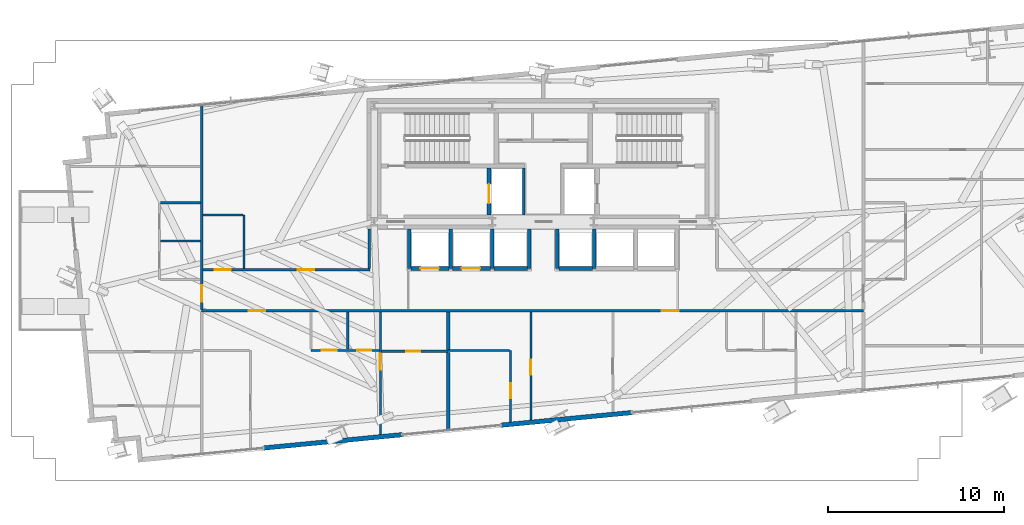
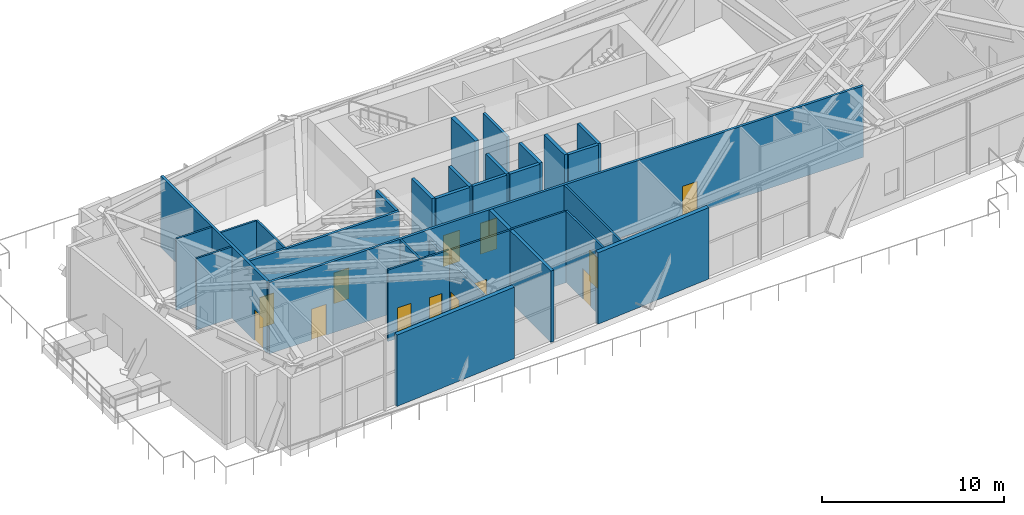
# One storey, part 21 of 28: 31 walls, 14 doors, 14 openings.
"""IFC4 building model written with IfcOpenShell, lengths in metres."""

from ifc_helpers import new_model, si_unit, direction, frame, frame_2d, origin, place, context, subcontext, project, spatial, rectangle, extrude, source, transform, mapped, material, layer, layer_set, type_object, type_shapes, element, fill, save


model = new_model("IFC4")

# Units and contexts
model_context = context("Model", 3, precision=1e-05, world=origin(), true_north=direction((0.0, 1.0)))
body_context = subcontext(model_context, "Body", "Model", "MODEL_VIEW")
ifc_project = project(units=[si_unit("LENGTHUNIT", "METRE"), si_unit("AREAUNIT", "SQUARE_METRE"), si_unit("VOLUMEUNIT", "CUBIC_METRE"), si_unit("PLANEANGLEUNIT", "RADIAN"), si_unit("MASSUNIT", "GRAM", prefix="KILO")], contexts=[model_context])

# Site, building, storey
site_placement = place(None, origin())
site = spatial("IfcSite", under=ifc_project, at=site_placement, CompositionType="ELEMENT")
building_placement = place(site_placement, origin())
building = spatial("IfcBuilding", under=site, at=building_placement, Name="Astriad Promenade Condominiums", CompositionType="ELEMENT")
storey_placement = place(building_placement, frame((0.0, 0.0, 72.60009765625)))
storey = spatial("IfcBuildingStorey", under=building, at=storey_placement, Name="L20", CompositionType="ELEMENT", Elevation=72.60009765625)

# Wall, opening, door
ifc_material_1 = material(Name="Concrete C50/60", Category="concrete")
ifc_layer_1 = layer(ifc_material_1, 0.25)
ifc_layer_set_1 = layer_set([ifc_layer_1], Name="Concrete C50/60")
wall_type_1 = type_object("IfcWallType", Name="WALL-CORE-INT-250", PredefinedType="SOLIDWALL", material=ifc_layer_set_1)
wall_1_placement = place(storey_placement, frame((32.925048828125, 17.802001953125, 0.0), z_axis=(0.0, 0.0, 1.0), x_axis=(0.0, 1.0, 0.0)))
wall_1 = element("IfcWall", 1, at=wall_1_placement, inside=storey, type_object=wall_type_1, Name="CW-FFL1-W-L20", PredefinedType="SOLIDWALL", context=body_context, shape_type="SweptSolid", body=[
    extrude(rectangle(XDim=2.64599609375, YDim=0.25, at=frame_2d((1.322998046875, 0.0))), origin(), (0.0, 0.0, 1.0), 5.199951171875),
])
opening_1_placement = place(wall_1_placement, frame((0.64794921875, 0.0, 0.0)))
opening_1 = element("IfcOpeningElement", 2, at=opening_1_placement, cuts=wall_1, Name="Opening LD-FFL-1122", PredefinedType="OPENING", context=body_context, shape_type="SweptSolid", body=[
    extrude(rectangle(XDim=1.10009765625, YDim=2.080078125, at=frame_2d((0.550048828125, 1.0400390625))), frame((0.0, 0.135009765625, 0.0), z_axis=(0.0, -1.0, 0.0), x_axis=(1.0, 0.0, 0.0)), (0.0, 0.0, 1.0), 0.27001953125),
])
ifc_material_2 = material(Name="Brushed Stainless Steel Fire Elevator Landing Door", Category="steel")
door_type_1 = type_object("IfcDoorType", Name="LD-FFL-1122", OperationType="NOTDEFINED", PredefinedType="DOOR", material=ifc_material_2)
shared_shape_1 = source(origin(), body_context, "Body", "SweptSolid", [
    extrude(rectangle(XDim=1.10009765625, YDim=2.080078125, at=frame_2d((0.550048828125, 1.0400390625))), frame((0.0, 0.02490234375, 0.0), z_axis=(0.0, -1.0, 0.0), x_axis=(1.0, 0.0, 0.0)), (0.0, 0.0, 1.0), 0.050048828125),
])
type_shapes(door_type_1, [shared_shape_1])
door_1_placement = place(opening_1_placement, origin())
door_1 = element("IfcDoor", 3, at=door_1_placement, inside=storey, type_object=door_type_1, Name="Elevator Landing Door FFL-1 (L20)", OperationType="SLIDING_TO_LEFT", OverallHeight=2.080078125, OverallWidth=1.10009765625, PredefinedType="DOOR", context=body_context, shape_type="MappedRepresentation", body=[
    mapped(shared_shape_1, transform((0.0, 0.0, 0.0), scale=1.0)),
])
fill(opening_1, door_1)

# Wall
ifc_material_3 = material(Name="Fire-Rated Gypsum Partition")
ifc_layer_2 = layer(ifc_material_3, 0.159912109375)
ifc_layer_set_2 = layer_set([ifc_layer_2], Name="Fire-Rated Gypsum Partition")
wall_type_2 = type_object("IfcWallType", Name="WALL-CORR-160", PredefinedType="PARTITIONING", material=ifc_layer_set_2)
wall_2_placement = place(storey_placement, frame((34.89990234375, 17.802001953125, 0.0), z_axis=(0.0, 0.0, 1.0), x_axis=(0.0, 1.0, 0.0)))
element("IfcWall", 4, at=wall_2_placement, inside=storey, type_object=wall_type_2, Name="CW-FFL1-E-L20", PredefinedType="PARTITIONING", context=body_context, shape_type="SweptSolid", body=[
    extrude(rectangle(XDim=2.64599609375, YDim=0.159912109375, at=frame_2d((1.322998046875, 0.0))), origin(), (0.0, 0.0, 1.0), 4.77978515625),
])

# Wall, openings, doors
wall_3_placement = place(storey_placement, frame((16.60009765625, 12.35009765625, 0.0), z_axis=(0.0, 0.0, 1.0), x_axis=(1.0, 0.0, 0.0)))
wall_3 = element("IfcWall", 5, at=wall_3_placement, inside=storey, type_object=wall_type_2, Name="PT-COR-S-L20", PredefinedType="PARTITIONING", context=body_context, shape_type="SweptSolid", body=[
    extrude(rectangle(XDim=37.599853515625, YDim=0.159912109375, at=frame_2d((18.7998046875, 0.0))), origin(), (0.0, 0.0, 1.0), 4.77978515625),
])
opening_2_placement = place(wall_3_placement, frame((2.6650390625, 0.0, 0.0)))
opening_2 = element("IfcOpeningElement", 6, at=opening_2_placement, cuts=wall_3, Name="Opening FD60-APT-095", PredefinedType="OPENING", context=body_context, shape_type="SweptSolid", body=[
    extrude(rectangle(XDim=0.949951171875, YDim=2.06005859375, at=frame_2d((0.47509765625, 1.030029296875))), frame((0.0, 0.08984375, 0.0), z_axis=(0.0, -1.0, 0.0), x_axis=(1.0, 0.0, 0.0)), (0.0, 0.0, 1.0), 0.179931640625),
])
opening_3_placement = place(wall_3_placement, frame((26.14599609375, 0.0, 0.0)))
opening_3 = element("IfcOpeningElement", 7, at=opening_3_placement, cuts=wall_3, Name="Opening FD60-APT-095", PredefinedType="OPENING", context=body_context, shape_type="SweptSolid", body=[
    extrude(rectangle(XDim=0.949951171875, YDim=2.06005859375, at=frame_2d((0.47509765625, 1.030029296875))), frame((0.0, 0.08984375, 0.0), z_axis=(0.0, -1.0, 0.0), x_axis=(1.0, 0.0, 0.0)), (0.0, 0.0, 1.0), 0.179931640625),
])
ifc_material_4 = material(Name="Solid-Core Acoustic Timber Residence Entry Door", Category="wood")
door_type_2 = type_object("IfcDoorType", Name="FD60-APT-095", OperationType="NOTDEFINED", PredefinedType="DOOR", material=ifc_material_4)
shared_shape_2 = source(origin(), body_context, "Body", "SweptSolid", [
    extrude(rectangle(XDim=0.949951171875, YDim=2.06005859375, at=frame_2d((0.47509765625, 1.030029296875))), frame((0.0, 0.02490234375, 0.0), z_axis=(0.0, -1.0, 0.0), x_axis=(1.0, 0.0, 0.0)), (0.0, 0.0, 1.0), 0.050048828125),
])
type_shapes(door_type_2, [shared_shape_2])
door_2_placement = place(opening_2_placement, origin())
door_2 = element("IfcDoor", 8, at=door_2_placement, inside=storey, type_object=door_type_2, Name="D-ENT-L20-S1", OperationType="SINGLE_SWING_RIGHT", OverallHeight=2.06005859375, OverallWidth=0.949951171875, PredefinedType="DOOR", context=body_context, shape_type="MappedRepresentation", body=[
    mapped(shared_shape_2, transform((0.0, 0.0, 0.0), scale=1.0)),
])
fill(opening_2, door_2)
door_3_placement = place(opening_3_placement, origin())
door_3 = element("IfcDoor", 9, at=door_3_placement, inside=storey, type_object=door_type_2, Name="D-ENT-L20-S2", OperationType="SINGLE_SWING_LEFT", OverallHeight=2.06005859375, OverallWidth=0.949951171875, PredefinedType="DOOR", context=body_context, shape_type="MappedRepresentation", body=[
    mapped(shared_shape_2, transform((0.0, 0.0, 0.0), scale=1.0)),
])
fill(opening_3, door_3)

# Wall, opening, door
wall_4_placement = place(storey_placement, frame((16.60009765625, 12.431884765625, 0.0), z_axis=(0.0, 0.0, 1.0), x_axis=(0.0, 1.0, 0.0)))
wall_4 = element("IfcWall", 10, at=wall_4_placement, inside=storey, type_object=wall_type_2, Name="PT-COR-W-L20-S2", PredefinedType="PARTITIONING", context=body_context, shape_type="SweptSolid", body=[
    extrude(rectangle(XDim=11.657958984375, YDim=0.159912109375, at=frame_2d((5.8291015625, 0.0))), origin(), (0.0, 0.0, 1.0), 4.77978515625),
])
opening_4_placement = place(wall_4_placement, frame((0.428955078125, 0.0, 0.0)))
opening_4 = element("IfcOpeningElement", 11, at=opening_4_placement, cuts=wall_4, Name="Opening FD60-APT-095", PredefinedType="OPENING", context=body_context, shape_type="SweptSolid", body=[
    extrude(rectangle(XDim=0.949951171875, YDim=2.06005859375, at=frame_2d((0.47509765625, 1.030029296875))), frame((0.0, 0.08984375, 0.0), z_axis=(0.0, -1.0, 0.0), x_axis=(1.0, 0.0, 0.0)), (0.0, 0.0, 1.0), 0.179931640625),
])
door_4_placement = place(opening_4_placement, origin())
door_4 = element("IfcDoor", 12, at=door_4_placement, inside=storey, type_object=door_type_2, Name="D-ENT-L20-W1", OperationType="SINGLE_SWING_LEFT", OverallHeight=2.06005859375, OverallWidth=0.949951171875, PredefinedType="DOOR", context=body_context, shape_type="MappedRepresentation", body=[
    mapped(shared_shape_2, transform((0.0, 0.0, 0.0), scale=1.0)),
])
fill(opening_4, door_4)

# Wall, openings, doors
wall_5_placement = place(storey_placement, frame((16.681884765625, 14.679931640625, 0.0), z_axis=(0.0, 0.0, 1.0), x_axis=(1.0, 0.0, 0.0)))
wall_5 = element("IfcWall", 13, at=wall_5_placement, inside=storey, type_object=wall_type_2, Name="PT-FLK-NW-L20", PredefinedType="PARTITIONING", context=body_context, shape_type="SweptSolid", body=[
    extrude(rectangle(XDim=9.47802734375, YDim=0.159912109375, at=frame_2d((4.739013671875, 0.0))), origin(), (0.0, 0.0, 1.0), 4.77978515625),
])
opening_5_placement = place(wall_5_placement, frame((0.66796875, 0.0, 0.0)))
opening_5 = element("IfcOpeningElement", 14, at=opening_5_placement, cuts=wall_5, Name="Opening D-INT-090", PredefinedType="OPENING", context=body_context, shape_type="SweptSolid", body=[
    extrude(rectangle(XDim=0.89990234375, YDim=2.050048828125, at=frame_2d((0.449951171875, 1.02490234375))), frame((0.0, 0.08984375, 0.0), z_axis=(0.0, -1.0, 0.0), x_axis=(1.0, 0.0, 0.0)), (0.0, 0.0, 1.0), 0.179931640625),
])
opening_6_placement = place(wall_5_placement, frame((5.363037109375, 0.0, 0.0)))
opening_6 = element("IfcOpeningElement", 15, at=opening_6_placement, cuts=wall_5, Name="Opening FD60-APT-095", PredefinedType="OPENING", context=body_context, shape_type="SweptSolid", body=[
    extrude(rectangle(XDim=0.949951171875, YDim=2.06005859375, at=frame_2d((0.47509765625, 1.030029296875))), frame((0.0, 0.08984375, 0.0), z_axis=(0.0, -1.0, 0.0), x_axis=(1.0, 0.0, 0.0)), (0.0, 0.0, 1.0), 0.179931640625),
])
door_5_placement = place(opening_6_placement, origin())
door_5 = element("IfcDoor", 16, at=door_5_placement, inside=storey, type_object=door_type_2, Name="D-NWA-L20", OperationType="SINGLE_SWING_RIGHT", OverallHeight=2.06005859375, OverallWidth=0.949951171875, PredefinedType="DOOR", context=body_context, shape_type="MappedRepresentation", body=[
    mapped(shared_shape_2, transform((0.0, 0.0, 0.0), scale=1.0)),
])
fill(opening_6, door_5)
ifc_material_5 = material(Name="Painted Solid-Core Timber Bedroom Door", Category="wood")
door_type_3 = type_object("IfcDoorType", Name="D-INT-090", OperationType="NOTDEFINED", PredefinedType="DOOR", material=ifc_material_5)
shared_shape_3 = source(origin(), body_context, "Body", "SweptSolid", [
    extrude(rectangle(XDim=0.89990234375, YDim=2.050048828125, at=frame_2d((0.449951171875, 1.02490234375))), frame((0.0, 0.02490234375, 0.0), z_axis=(0.0, -1.0, 0.0), x_axis=(1.0, 0.0, 0.0)), (0.0, 0.0, 1.0), 0.050048828125),
])
type_shapes(door_type_3, [shared_shape_3])
door_6_placement = place(opening_5_placement, origin())
door_6 = element("IfcDoor", 17, at=door_6_placement, inside=storey, type_object=door_type_3, Name="D-AWC-L20", OperationType="SINGLE_SWING_LEFT", OverallHeight=2.050048828125, OverallWidth=0.89990234375, PredefinedType="DOOR", context=body_context, shape_type="MappedRepresentation", body=[
    mapped(shared_shape_3, transform((0.0, 0.0, 0.0), scale=1.0)),
])
fill(opening_5, door_6)

# Walls
wall_6_placement = place(storey_placement, frame((26.1201171875, 14.761962890625, 0.0), z_axis=(0.0, 0.0, 1.0), x_axis=(0.0, 1.0, 0.0)))
element("IfcWall", 18, at=wall_6_placement, inside=storey, type_object=wall_type_2, Name="PT-WSPUR-W-L20", PredefinedType="PARTITIONING", context=body_context, shape_type="SweptSolid", body=[
    extrude(rectangle(XDim=2.236083984375, YDim=0.159912109375, at=frame_2d((1.1181640625, 0.0))), origin(), (0.0, 0.0, 1.0), 4.77978515625),
])
ifc_material_6 = material(Name="Acoustic Double-Stud Gypsum Partition")
ifc_layer_3 = layer(ifc_material_6, 0.199951171875)
ifc_layer_set_3 = layer_set([ifc_layer_3], Name="Acoustic Double-Stud Gypsum Partition")
wall_type_3 = type_object("IfcWallType", Name="WALL-DEMISING-200", PredefinedType="PARTITIONING", material=ifc_layer_set_3)
wall_7_placement = place(storey_placement, frame((30.60107421875, 5.506103515625, 0.0), z_axis=(0.0, 0.0, 1.0), x_axis=(0.0, 1.0, 0.0)))
element("IfcWall", 19, at=wall_7_placement, inside=storey, type_object=wall_type_3, Name="PT-DEM-S1-L20", PredefinedType="PARTITIONING", context=body_context, shape_type="SweptSolid", body=[
    extrude(rectangle(XDim=4.48193359375, YDim=0.199951171875, at=frame_2d((2.240966796875, 0.0))), origin(), (0.0, 0.0, 1.0), 4.77978515625),
])
wall_8_placement = place(storey_placement, frame((30.60107421875, 10.112060546875, 0.0), z_axis=(0.0, 0.0, 1.0), x_axis=(0.0, 1.0, 0.0)))
element("IfcWall", 20, at=wall_8_placement, inside=storey, type_object=wall_type_3, Name="PT-DEM-S1-L20-S2", PredefinedType="PARTITIONING", context=body_context, shape_type="SweptSolid", body=[
    extrude(rectangle(XDim=2.156005859375, YDim=0.199951171875, at=frame_2d((1.078125, 0.0))), origin(), (0.0, 0.0, 1.0), 4.77978515625),
])
ifc_material_7 = material(Name="Precast concrete C50/60", Category="concrete")
ifc_layer_4 = layer(ifc_material_7, 0.260009765625)
ifc_layer_set_4 = layer_set([ifc_layer_4], Name="Precast concrete C50/60")
wall_type_4 = type_object("IfcWallType", Name="WALL-EXT-TWR-260", PredefinedType="STANDARD", material=ifc_layer_set_4)
wall_9_placement = place(storey_placement, frame((41.041748046875, 6.561767578125, 0.0), z_axis=(0.0, 0.0, 1.0), x_axis=(-0.995394886335, -0.095859377516, 0.0)))
element("IfcWall", 21, at=wall_9_placement, inside=storey, type_object=wall_type_4, Name="W-SGCOL-L20-S-3", PredefinedType="STANDARD", context=body_context, shape_type="SweptSolid", body=[
    extrude(rectangle(XDim=7.469970703125, YDim=0.260009765625, at=frame_2d((3.73486328125, 0.0))), origin(), (0.0, 0.0, 1.0), 4.77978515625),
])
wall_10_placement = place(storey_placement, frame((28.002197265625, 5.30615234375, 0.0), z_axis=(0.0, 0.0, 1.0), x_axis=(-0.9953942011, -0.09586649267, 0.0)))
element("IfcWall", 22, at=wall_10_placement, inside=storey, type_object=wall_type_4, Name="W-SGCOL-L20-S-4", PredefinedType="STANDARD", context=body_context, shape_type="SweptSolid", body=[
    extrude(rectangle(XDim=7.909912109375, YDim=0.260009765625, at=frame_2d((3.955078125, 0.0))), origin(), (0.0, 0.0, 1.0), 4.77978515625),
])

# Wall, opening, door
ifc_material_8 = material(Name="Acoustic Metal-Stud Gypsum Partition")
ifc_layer_5 = layer(ifc_material_8, 0.1201171875)
ifc_layer_set_5 = layer_set([ifc_layer_5], Name="Acoustic Metal-Stud Gypsum Partition")
wall_type_5 = type_object("IfcWallType", Name="WALL-PART-120", PredefinedType="PARTITIONING", material=ifc_layer_set_5)
wall_11_placement = place(storey_placement, frame((26.7509765625, 5.318115234375, 0.0), z_axis=(0.0, 0.0, 1.0), x_axis=(0.0, 1.0, 0.0)))
wall_11 = element("IfcWall", 23, at=wall_11_placement, inside=storey, type_object=wall_type_5, Name="PT-L20-S1-BD1", PredefinedType="PARTITIONING", context=body_context, shape_type="SweptSolid", body=[
    extrude(rectangle(XDim=6.949951171875, YDim=0.1201171875, at=frame_2d((3.47509765625, 0.0))), origin(), (0.0, 0.0, 1.0), 4.055419921875),
])
opening_7_placement = place(wall_11_placement, frame((3.681884765625, 0.0, 0.0)))
opening_7 = element("IfcOpeningElement", 24, at=opening_7_placement, cuts=wall_11, Name="Opening D-INT-090", PredefinedType="OPENING", context=body_context, shape_type="SweptSolid", body=[
    extrude(rectangle(XDim=0.89990234375, YDim=2.050048828125, at=frame_2d((0.449951171875, 1.02490234375))), frame((0.0, 0.070068359375, 0.0), z_axis=(0.0, -1.0, 0.0), x_axis=(1.0, 0.0, 0.0)), (0.0, 0.0, 1.0), 0.14013671875),
])
door_7_placement = place(opening_7_placement, origin())
door_7 = element("IfcDoor", 25, at=door_7_placement, inside=storey, type_object=door_type_3, Name="D-BD1-L20-S1", OperationType="SINGLE_SWING_LEFT", OverallHeight=2.050048828125, OverallWidth=0.89990234375, PredefinedType="DOOR", context=body_context, shape_type="MappedRepresentation", body=[
    mapped(shared_shape_3, transform((0.0, 0.0, 0.0), scale=1.0)),
])
fill(opening_7, door_7)

# Wall, openings, doors
wall_12_placement = place(storey_placement, frame((22.801025390625, 10.10009765625, 0.0), z_axis=(0.0, 0.0, 1.0), x_axis=(1.0, 0.0, 0.0)))
wall_12 = element("IfcWall", 26, at=wall_12_placement, inside=storey, type_object=wall_type_5, Name="PT-L20-S1-PS", PredefinedType="PARTITIONING", context=body_context, shape_type="SweptSolid", body=[
    extrude(rectangle(XDim=3.887939453125, YDim=0.1201171875, at=frame_2d((1.94384765625, 0.0))), origin(), (0.0, 0.0, 1.0), 4.77978515625),
])
opening_8_placement = place(wall_12_placement, frame((0.625, 0.0, 0.0)))
opening_8 = element("IfcOpeningElement", 27, at=opening_8_placement, cuts=wall_12, Name="Opening D-INT-085", PredefinedType="OPENING", context=body_context, shape_type="SweptSolid", body=[
    extrude(rectangle(XDim=0.85009765625, YDim=2.050048828125, at=frame_2d((0.425048828125, 1.02490234375))), frame((0.0, 0.070068359375, 0.0), z_axis=(0.0, -1.0, 0.0), x_axis=(1.0, 0.0, 0.0)), (0.0, 0.0, 1.0), 0.14013671875),
])
opening_9_placement = place(wall_12_placement, frame((2.625, 0.0, 0.0)))
opening_9 = element("IfcOpeningElement", 28, at=opening_9_placement, cuts=wall_12, Name="Opening D-WET-080", PredefinedType="OPENING", context=body_context, shape_type="SweptSolid", body=[
    extrude(rectangle(XDim=0.800048828125, YDim=2.02001953125, at=frame_2d((0.39990234375, 1.010009765625))), frame((0.0, 0.070068359375, 0.0), z_axis=(0.0, -1.0, 0.0), x_axis=(1.0, 0.0, 0.0)), (0.0, 0.0, 1.0), 0.14013671875),
])
ifc_material_9 = material(Name="Moisture-Resistant Timber Bathroom Door", Category="wood")
door_type_4 = type_object("IfcDoorType", Name="D-WET-080", OperationType="NOTDEFINED", PredefinedType="DOOR", material=ifc_material_9)
shared_shape_4 = source(origin(), body_context, "Body", "SweptSolid", [
    extrude(rectangle(XDim=0.800048828125, YDim=2.02001953125, at=frame_2d((0.39990234375, 1.010009765625))), frame((0.0, 0.02490234375, 0.0), z_axis=(0.0, -1.0, 0.0), x_axis=(1.0, 0.0, 0.0)), (0.0, 0.0, 1.0), 0.050048828125),
])
type_shapes(door_type_4, [shared_shape_4])
door_8_placement = place(opening_9_placement, origin())
door_8 = element("IfcDoor", 29, at=door_8_placement, inside=storey, type_object=door_type_4, Name="D-BTH-L20-S1", OperationType="SINGLE_SWING_LEFT", OverallHeight=2.02001953125, OverallWidth=0.800048828125, PredefinedType="DOOR", context=body_context, shape_type="MappedRepresentation", body=[
    mapped(shared_shape_4, transform((0.0, 0.0, 0.0), scale=1.0)),
])
fill(opening_9, door_8)
ifc_material_10 = material(Name="Painted Solid-Core Timber Room Door", Category="wood")
door_type_5 = type_object("IfcDoorType", Name="D-INT-085", OperationType="NOTDEFINED", PredefinedType="DOOR", material=ifc_material_10)
shared_shape_5 = source(origin(), body_context, "Body", "SweptSolid", [
    extrude(rectangle(XDim=0.85009765625, YDim=2.050048828125, at=frame_2d((0.425048828125, 1.02490234375))), frame((0.0, 0.02490234375, 0.0), z_axis=(0.0, -1.0, 0.0), x_axis=(1.0, 0.0, 0.0)), (0.0, 0.0, 1.0), 0.050048828125),
])
type_shapes(door_type_5, [shared_shape_5])
door_9_placement = place(opening_8_placement, origin())
door_9 = element("IfcDoor", 30, at=door_9_placement, inside=storey, type_object=door_type_5, Name="D-KIT-L20-S1", OperationType="SINGLE_SWING_RIGHT", OverallHeight=2.050048828125, OverallWidth=0.85009765625, PredefinedType="DOOR", context=body_context, shape_type="MappedRepresentation", body=[
    mapped(shared_shape_5, transform((0.0, 0.0, 0.0), scale=1.0)),
])
fill(opening_8, door_9)

# Wall
wall_13_placement = place(storey_placement, frame((24.90087890625, 10.162109375, 0.0), z_axis=(0.0, 0.0, 1.0), x_axis=(0.0, 1.0, 0.0)))
element("IfcWall", 31, at=wall_13_placement, inside=storey, type_object=wall_type_5, Name="PT-L20-S1-PBK", PredefinedType="PARTITIONING", context=body_context, shape_type="SweptSolid", body=[
    extrude(rectangle(XDim=2.10595703125, YDim=0.1201171875, at=frame_2d((1.052978515625, 0.0))), origin(), (0.0, 0.0, 1.0), 4.77978515625),
])

# Wall, opening, door
wall_14_placement = place(storey_placement, frame((26.81298828125, 10.050048828125, 0.0), z_axis=(0.0, 0.0, 1.0), x_axis=(1.0, 0.0, 0.0)))
wall_14 = element("IfcWall", 32, at=wall_14_placement, inside=storey, type_object=wall_type_5, Name="PT-L20-S1-ENS", PredefinedType="PARTITIONING", context=body_context, shape_type="SweptSolid", body=[
    extrude(rectangle(XDim=3.7880859375, YDim=0.1201171875, at=frame_2d((1.89404296875, 0.0))), origin(), (0.0, 0.0, 1.0), 4.77978515625),
])
opening_10_placement = place(wall_14_placement, frame((1.4130859375, 0.0, 0.0)))
opening_10 = element("IfcOpeningElement", 33, at=opening_10_placement, cuts=wall_14, Name="Opening D-WET-080", PredefinedType="OPENING", context=body_context, shape_type="SweptSolid", body=[
    extrude(rectangle(XDim=0.800048828125, YDim=2.02001953125, at=frame_2d((0.39990234375, 1.010009765625))), frame((0.0, 0.070068359375, 0.0), z_axis=(0.0, -1.0, 0.0), x_axis=(1.0, 0.0, 0.0)), (0.0, 0.0, 1.0), 0.14013671875),
])
door_10_placement = place(opening_10_placement, origin())
door_10 = element("IfcDoor", 34, at=door_10_placement, inside=storey, type_object=door_type_4, Name="D-ENS-L20-S1", OperationType="SINGLE_SWING_RIGHT", OverallHeight=2.02001953125, OverallWidth=0.800048828125, PredefinedType="DOOR", context=body_context, shape_type="MappedRepresentation", body=[
    mapped(shared_shape_4, transform((0.0, 0.0, 0.0), scale=1.0)),
])
fill(opening_10, door_10)

wall_15_placement = place(storey_placement, frame((34.15087890625, 6.03076171875, 0.0), z_axis=(0.0, 0.0, 1.0), x_axis=(0.0, 1.0, 0.0)))
wall_15 = element("IfcWall", 35, at=wall_15_placement, inside=storey, type_object=wall_type_5, Name="PT-L20-S2-EXV", PredefinedType="PARTITIONING", context=body_context, shape_type="SweptSolid", body=[
    extrude(rectangle(XDim=4.0693359375, YDim=0.1201171875, at=frame_2d((2.03466796875, 0.0))), origin(), (0.0, 0.0, 1.0), 4.77978515625),
])
opening_11_placement = place(wall_15_placement, frame((1.34228515625, 0.0, 0.0)))
opening_11 = element("IfcOpeningElement", 36, at=opening_11_placement, cuts=wall_15, Name="Opening D-INT-085", PredefinedType="OPENING", context=body_context, shape_type="SweptSolid", body=[
    extrude(rectangle(XDim=0.85009765625, YDim=2.050048828125, at=frame_2d((0.425048828125, 1.02490234375))), frame((0.0, 0.070068359375, 0.0), z_axis=(0.0, -1.0, 0.0), x_axis=(1.0, 0.0, 0.0)), (0.0, 0.0, 1.0), 0.14013671875),
])
door_11_placement = place(opening_11_placement, origin())
door_11 = element("IfcDoor", 37, at=door_11_placement, inside=storey, type_object=door_type_5, Name="D-EX-L20-S2", OperationType="SINGLE_SWING_RIGHT", OverallHeight=2.050048828125, OverallWidth=0.85009765625, PredefinedType="DOOR", context=body_context, shape_type="MappedRepresentation", body=[
    mapped(shared_shape_5, transform((0.0, 0.0, 0.0), scale=1.0)),
])
fill(opening_11, door_11)

# Wall
wall_16_placement = place(storey_placement, frame((30.60107421875, 10.10009765625, 0.0), z_axis=(0.0, 0.0, 1.0), x_axis=(1.0, 0.0, 0.0)))
element("IfcWall", 38, at=wall_16_placement, inside=storey, type_object=wall_type_5, Name="PT-L20-S2-EXH", PredefinedType="PARTITIONING", context=body_context, shape_type="SweptSolid", body=[
    extrude(rectangle(XDim=3.488037109375, YDim=0.1201171875, at=frame_2d((1.744140625, 0.0))), origin(), (0.0, 0.0, 1.0), 4.77978515625),
])

# Wall, opening, door
wall_17_placement = place(storey_placement, frame((35.301025390625, 6.1416015625, 0.0), z_axis=(0.0, 0.0, 1.0), x_axis=(0.0, 1.0, 0.0)))
wall_17 = element("IfcWall", 39, at=wall_17_placement, inside=storey, type_object=wall_type_5, Name="PT-L20-S2-CAP1", PredefinedType="PARTITIONING", context=body_context, shape_type="SweptSolid", body=[
    extrude(rectangle(XDim=6.12646484375, YDim=0.1201171875, at=frame_2d((3.063232421875, 0.0))), origin(), (0.0, 0.0, 1.0), 4.77978515625),
])
opening_12_placement = place(wall_17_placement, frame((2.575439453125, 0.0, 0.0)))
opening_12 = element("IfcOpeningElement", 40, at=opening_12_placement, cuts=wall_17, Name="Opening D-INT-085", PredefinedType="OPENING", context=body_context, shape_type="SweptSolid", body=[
    extrude(rectangle(XDim=0.85009765625, YDim=2.050048828125, at=frame_2d((0.425048828125, 1.02490234375))), frame((0.0, 0.070068359375, 0.0), z_axis=(0.0, -1.0, 0.0), x_axis=(1.0, 0.0, 0.0)), (0.0, 0.0, 1.0), 0.14013671875),
])
door_12_placement = place(opening_12_placement, origin())
door_12 = element("IfcDoor", 41, at=door_12_placement, inside=storey, type_object=door_type_5, Name="D-CAP1-L20-S2", OperationType="SINGLE_SWING_LEFT", OverallHeight=2.050048828125, OverallWidth=0.85009765625, PredefinedType="DOOR", context=body_context, shape_type="MappedRepresentation", body=[
    mapped(shared_shape_5, transform((0.0, 0.0, 0.0), scale=1.0)),
])
fill(opening_12, door_12)

# Walls
for number, where, z_axis, x_axis, name in (
    (42, (14.261962890625, 16.31103515625, 0.0), (0.0, 0.0, 1.0), (1.0, 0.0, 0.0), "PT-L20-W1-PM"),
    (43, (14.261962890625, 18.486083984375, 0.0), (0.0, 0.0, 1.0), (1.0, 0.0, 0.0), "PT-L20-W1-PN"),
):
    element("IfcWall", number, at=place(storey_placement, frame(where, z_axis=z_axis, x_axis=x_axis)), inside=storey, type_object=wall_type_5, Name=name, PredefinedType="PARTITIONING", context=body_context, shape_type="SweptSolid", body=[
        extrude(rectangle(XDim=2.256103515625, YDim=0.1201171875, at=frame_2d((1.1279296875, 0.0))), origin(), (0.0, 0.0, 1.0), 4.77978515625),
    ])
wall_18_placement = place(storey_placement, frame((19.0, 14.761962890625, 0.0), z_axis=(0.0, 0.0, 1.0), x_axis=(0.0, 1.0, 0.0)))
element("IfcWall", 44, at=wall_18_placement, inside=storey, type_object=wall_type_5, Name="PT-AWC-E-L20", PredefinedType="PARTITIONING", context=body_context, shape_type="SweptSolid", body=[
    extrude(rectangle(XDim=3.0380859375, YDim=0.1201171875, at=frame_2d((1.51904296875, 0.0))), origin(), (0.0, 0.0, 1.0), 4.77978515625),
])
wall_19_placement = place(storey_placement, frame((16.681884765625, 17.800048828125, 0.0), z_axis=(0.0, 0.0, 1.0), x_axis=(1.0, 0.0, 0.0)))
element("IfcWall", 45, at=wall_19_placement, inside=storey, type_object=wall_type_5, Name="PT-AWC-N-L20", PredefinedType="PARTITIONING", context=body_context, shape_type="SweptSolid", body=[
    extrude(rectangle(XDim=2.256103515625, YDim=0.1201171875, at=frame_2d((1.1279296875, 0.0))), origin(), (0.0, 0.0, 1.0), 4.77978515625),
])
ifc_material_11 = material(Name="Gypsum Shaftliner Assembly")
ifc_layer_6 = layer(ifc_material_11, 0.199951171875)
ifc_layer_set_6 = layer_set([ifc_layer_6], Name="Gypsum Shaftliner Assembly")
wall_type_6 = type_object("IfcWallType", Name="WALL-SHAFT-200", PredefinedType="PARTITIONING", material=ifc_layer_set_6)
for number, where, z_axis, x_axis, name in (
    (46, (28.39990234375, 14.75, 0.0), (0.0, 0.0, 1.0), (0.0, 1.0, 0.0), "PL-W-OUT-L20"),
    (47, (30.75, 14.75, 0.0), (0.0, 0.0, 1.0), (0.0, 1.0, 0.0), "PL-L-DIV-L20"),
    (48, (33.10009765625, 14.75, 0.0), (0.0, 0.0, 1.0), (0.0, 1.0, 0.0), "PL-LM-DIV-L20"),
):
    element("IfcWall", number, at=place(storey_placement, frame(where, z_axis=z_axis, x_axis=x_axis)), inside=storey, type_object=wall_type_6, Name=name, PredefinedType="PARTITIONING", context=body_context, shape_type="SweptSolid", body=[
        extrude(rectangle(XDim=2.248046875, YDim=0.199951171875, at=frame_2d((1.1240234375, 0.0))), origin(), (0.0, 0.0, 1.0), 4.77978515625),
    ])

# Wall, opening, door
wall_20_placement = place(storey_placement, frame((28.501953125, 14.75, 0.0), z_axis=(0.0, 0.0, 1.0), x_axis=(1.0, 0.0, 0.0)))
wall_20 = element("IfcWall", 49, at=wall_20_placement, inside=storey, type_object=wall_type_6, Name="PL-L-FRT-L20", PredefinedType="PARTITIONING", context=body_context, shape_type="SweptSolid", body=[
    extrude(rectangle(XDim=2.14599609375, YDim=0.199951171875, at=frame_2d((1.072998046875, 0.0))), origin(), (0.0, 0.0, 1.0), 4.77978515625),
])
opening_13_placement = place(wall_20_placement, frame((0.52294921875, 0.0, 0.0)))
opening_13 = element("IfcOpeningElement", 50, at=opening_13_placement, cuts=wall_20, Name="Opening LD-PL-10522", PredefinedType="OPENING", context=body_context, shape_type="SweptSolid", body=[
    extrude(rectangle(XDim=1.050048828125, YDim=2.080078125, at=frame_2d((0.52490234375, 1.0400390625))), frame((0.0, 0.10986328125, 0.0), z_axis=(0.0, -1.0, 0.0), x_axis=(1.0, 0.0, 0.0)), (0.0, 0.0, 1.0), 0.219970703125),
])
ifc_material_12 = material(Name="Brushed Bronze Passenger Elevator Landing Door")
door_type_6 = type_object("IfcDoorType", Name="LD-PL-10522", OperationType="NOTDEFINED", PredefinedType="DOOR", material=ifc_material_12)
shared_shape_6 = source(origin(), body_context, "Body", "SweptSolid", [
    extrude(rectangle(XDim=1.050048828125, YDim=2.080078125, at=frame_2d((0.52490234375, 1.0400390625))), frame((0.0, 0.02490234375, 0.0), z_axis=(0.0, -1.0, 0.0), x_axis=(1.0, 0.0, 0.0)), (0.0, 0.0, 1.0), 0.050048828125),
])
type_shapes(door_type_6, [shared_shape_6])
door_13_placement = place(opening_13_placement, origin())
door_13 = element("IfcDoor", 51, at=door_13_placement, inside=storey, type_object=door_type_6, Name="Elevator Landing Door PL-L1 (L20)", OperationType="SLIDING_TO_LEFT", OverallHeight=2.080078125, OverallWidth=1.050048828125, PredefinedType="DOOR", context=body_context, shape_type="MappedRepresentation", body=[
    mapped(shared_shape_6, transform((0.0, 0.0, 0.0), scale=1.0)),
])
fill(opening_13, door_13)

wall_21_placement = place(storey_placement, frame((30.85205078125, 14.75, 0.0), z_axis=(0.0, 0.0, 1.0), x_axis=(1.0, 0.0, 0.0)))
wall_21 = element("IfcWall", 52, at=wall_21_placement, inside=storey, type_object=wall_type_6, Name="PL-L-FRT-L20-S2", PredefinedType="PARTITIONING", context=body_context, shape_type="SweptSolid", body=[
    extrude(rectangle(XDim=2.14599609375, YDim=0.199951171875, at=frame_2d((1.072998046875, 0.0))), origin(), (0.0, 0.0, 1.0), 4.77978515625),
])
opening_14_placement = place(wall_21_placement, frame((0.52294921875, 0.0, 0.0)))
opening_14 = element("IfcOpeningElement", 53, at=opening_14_placement, cuts=wall_21, Name="Opening LD-PL-10522", PredefinedType="OPENING", context=body_context, shape_type="SweptSolid", body=[
    extrude(rectangle(XDim=1.050048828125, YDim=2.080078125, at=frame_2d((0.52490234375, 1.0400390625))), frame((0.0, 0.10986328125, 0.0), z_axis=(0.0, -1.0, 0.0), x_axis=(1.0, 0.0, 0.0)), (0.0, 0.0, 1.0), 0.219970703125),
])
door_14_placement = place(opening_14_placement, origin())
door_14 = element("IfcDoor", 54, at=door_14_placement, inside=storey, type_object=door_type_6, Name="Elevator Landing Door PL-L2 (L20)", OperationType="SLIDING_TO_RIGHT", OverallHeight=2.080078125, OverallWidth=1.050048828125, PredefinedType="DOOR", context=body_context, shape_type="MappedRepresentation", body=[
    mapped(shared_shape_6, transform((0.0, 0.0, 0.0), scale=1.0)),
])
fill(opening_14, door_14)

# Walls
wall_22_placement = place(storey_placement, frame((35.199951171875, 14.75, 0.0), z_axis=(0.0, 0.0, 1.0), x_axis=(0.0, 1.0, 0.0)))
element("IfcWall", 55, at=wall_22_placement, inside=storey, type_object=wall_type_6, Name="PL-M1-E-L20", PredefinedType="PARTITIONING", context=body_context, shape_type="SweptSolid", body=[
    extrude(rectangle(XDim=2.248046875, YDim=0.199951171875, at=frame_2d((1.1240234375, 0.0))), origin(), (0.0, 0.0, 1.0), 4.77978515625),
])
wall_23_placement = place(storey_placement, frame((33.201904296875, 14.75, 0.0), z_axis=(0.0, 0.0, 1.0), x_axis=(1.0, 0.0, 0.0)))
element("IfcWall", 56, at=wall_23_placement, inside=storey, type_object=wall_type_6, Name="PL-M1-F-L20", PredefinedType="PARTITIONING", context=body_context, shape_type="SweptSolid", body=[
    extrude(rectangle(XDim=1.89599609375, YDim=0.199951171875, at=frame_2d((0.947998046875, 0.0))), origin(), (0.0, 0.0, 1.0), 4.77978515625),
])
for number, where, z_axis, x_axis, name in (
    (57, (36.800048828125, 14.75, 0.0), (0.0, 0.0, 1.0), (0.0, 1.0, 0.0), "PL-M2-W-L20"),
    (58, (38.89990234375, 14.75, 0.0), (0.0, 0.0, 1.0), (0.0, 1.0, 0.0), "PL-MH-DIV-L20"),
):
    element("IfcWall", number, at=place(storey_placement, frame(where, z_axis=z_axis, x_axis=x_axis)), inside=storey, type_object=wall_type_6, Name=name, PredefinedType="PARTITIONING", context=body_context, shape_type="SweptSolid", body=[
        extrude(rectangle(XDim=2.248046875, YDim=0.199951171875, at=frame_2d((1.1240234375, 0.0))), origin(), (0.0, 0.0, 1.0), 4.77978515625),
    ])
wall_24_placement = place(storey_placement, frame((36.902099609375, 14.75, 0.0), z_axis=(0.0, 0.0, 1.0), x_axis=(1.0, 0.0, 0.0)))
element("IfcWall", 59, at=wall_24_placement, inside=storey, type_object=wall_type_6, Name="PL-M2-F-L20", PredefinedType="PARTITIONING", context=body_context, shape_type="SweptSolid", body=[
    extrude(rectangle(XDim=1.89599609375, YDim=0.199951171875, at=frame_2d((0.947998046875, 0.0))), origin(), (0.0, 0.0, 1.0), 4.77978515625),
])

save(model, "model.ifc")
